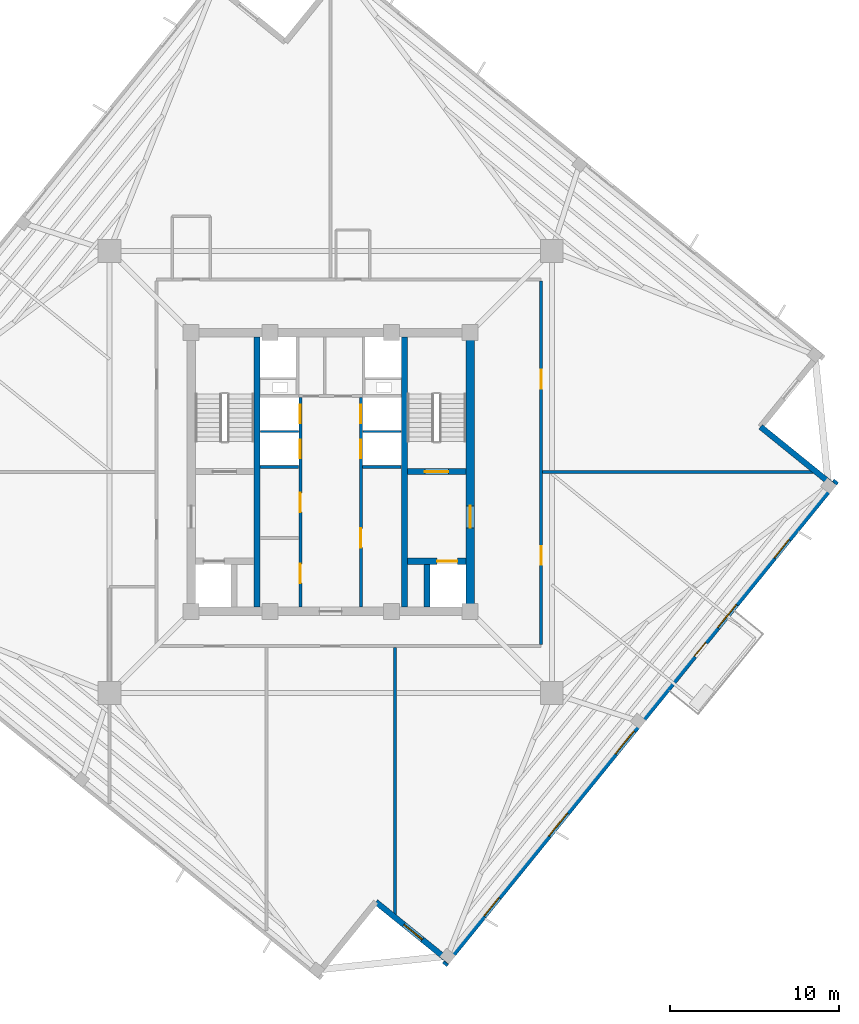
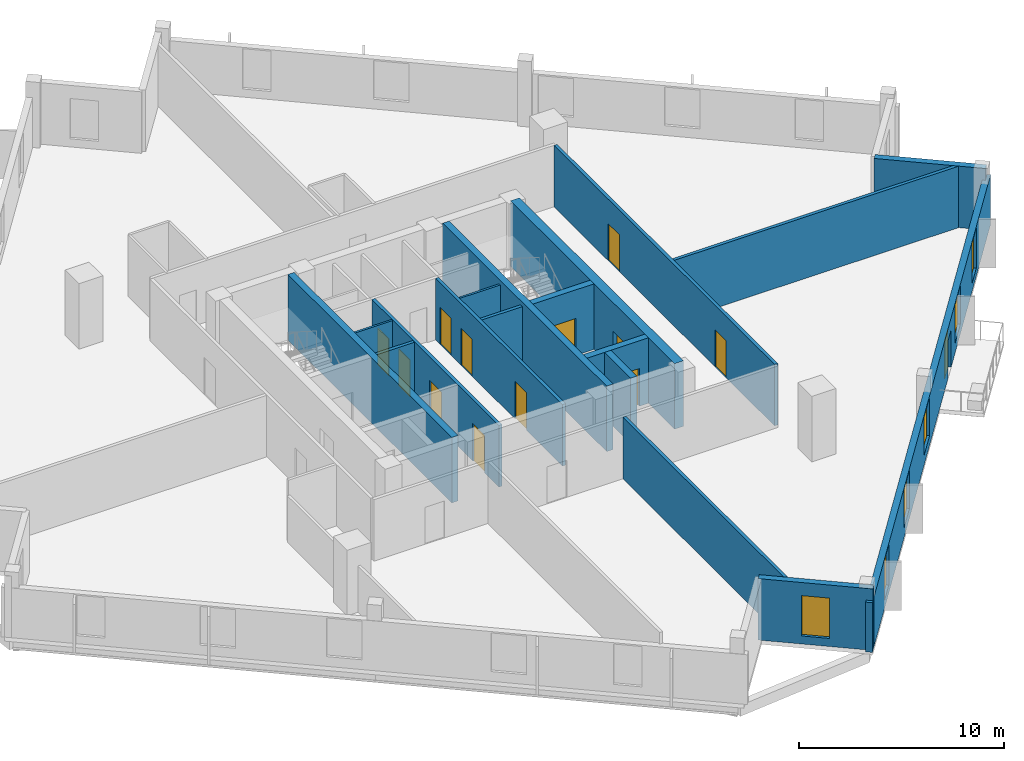
# One storey, part 3 of 9: 18 walls, 13 doors, 6 windows, 19 openings.
"""IFC4 building model written with IfcOpenShell, lengths in metres."""

from ifc_helpers import new_model, si_unit, direction, frame, frame_2d, origin, place, context, subcontext, project, spatial, rectangle, extrude, source, transform, mapped, material, layer, layer_set, type_object, element, fill, save


model = new_model("IFC4")

# Units and contexts
model_context = context("Model", 3, precision=1e-05, world=origin(), true_north=direction((0.0, 1.0)))
body_context = subcontext(model_context, "Body", "Model", "MODEL_VIEW")
ifc_project = project(units=[si_unit("LENGTHUNIT", "METRE"), si_unit("AREAUNIT", "SQUARE_METRE"), si_unit("VOLUMEUNIT", "CUBIC_METRE"), si_unit("PLANEANGLEUNIT", "RADIAN"), si_unit("MASSUNIT", "GRAM", prefix="KILO"), si_unit("THERMODYNAMICTEMPERATUREUNIT", "KELVIN")], contexts=[model_context])

# Site, building, storey
site_placement = place(None, origin())
site = spatial("IfcSite", under=ifc_project, at=site_placement, CompositionType="ELEMENT")
building_placement = place(site_placement, origin())
building = spatial("IfcBuilding", under=site, at=building_placement, Name="Kosmvard Interchange Tower", CompositionType="ELEMENT")
storey_placement = place(building_placement, frame((0.0, 0.0, 244.60009765625)))
storey = spatial("IfcBuildingStorey", under=building, at=storey_placement, Name="L59", CompositionType="ELEMENT", Elevation=244.60009765625)

# Wall, openings, doors
ifc_material_1 = material(Name="Fire-rated gypsum partition system")
ifc_layer_1 = layer(ifc_material_1, 0.179931640625, Name="Fire-rated gypsum partition system")
ifc_layer_set_1 = layer_set([ifc_layer_1], Name="Fire-rated gypsum partition system")
wall_type_1 = type_object("IfcWallType", Name="Corridor & Hotel Compartment Partition 180", PredefinedType="PARTITIONING", material=ifc_layer_set_1)
wall_1_placement = place(storey_placement, frame((-1.7900390625, -7.97998046875, 0.0), z_axis=(0.0, 0.0, 1.0), x_axis=(0.0, 1.0, 0.0)))
wall_1 = element("IfcWall", 1, at=wall_1_placement, inside=storey, type_object=wall_type_1, Name="L59 West Lift Bank Front Wall", PredefinedType="PARTITIONING", context=body_context, shape_type="SweptSolid", body=[
    extrude(rectangle(XDim=12.3798828125, YDim=0.179931640625, at=frame_2d((6.18994140625, 0.0))), origin(), (0.0, 0.0, 1.0), 3.659912109375),
])
opening_1_placement = place(wall_1_placement, frame((8.800048828125, 0.0, 0.0)))
opening_1 = element("IfcOpeningElement", 2, at=opening_1_placement, cuts=wall_1, Name="Opening LD-PL-H1-L59", PredefinedType="OPENING", context=body_context, shape_type="SweptSolid", body=[
    extrude(rectangle(XDim=1.10009765625, YDim=2.199951171875, at=frame_2d((0.550048828125, 1.10009765625))), frame((0.0, 0.10009765625, 0.0), z_axis=(0.0, -1.0, 0.0), x_axis=(1.0, 0.0, 0.0)), (0.0, 0.0, 1.0), 0.199951171875),
])
opening_2_placement = place(wall_1_placement, frame((10.860107421875, 0.0, 0.0)))
opening_2 = element("IfcOpeningElement", 3, at=opening_2_placement, cuts=wall_1, Name="Opening LD-PL-H2-L59", PredefinedType="OPENING", context=body_context, shape_type="SweptSolid", body=[
    extrude(rectangle(XDim=1.10009765625, YDim=2.199951171875, at=frame_2d((0.550048828125, 1.10009765625))), frame((0.0, 0.10009765625, 0.0), z_axis=(0.0, -1.0, 0.0), x_axis=(1.0, 0.0, 0.0)), (0.0, 0.0, 1.0), 0.199951171875),
])
opening_3_placement = place(wall_1_placement, frame((1.39990234375, 0.0, 0.0)))
opening_3 = element("IfcOpeningElement", 4, at=opening_3_placement, cuts=wall_1, Name="Opening L59-CD1", PredefinedType="OPENING", context=body_context, shape_type="SweptSolid", body=[
    extrude(rectangle(XDim=1.14990234375, YDim=2.25, at=frame_2d((0.574951171875, 1.125))), frame((0.0, 0.10009765625, 0.0), z_axis=(0.0, -1.0, 0.0), x_axis=(1.0, 0.0, 0.0)), (0.0, 0.0, 1.0), 0.199951171875),
])
opening_4_placement = place(wall_1_placement, frame((5.60009765625, 0.0, 0.0)))
opening_4 = element("IfcOpeningElement", 5, at=opening_4_placement, cuts=wall_1, Name="Opening L59-CD2", PredefinedType="OPENING", context=body_context, shape_type="SweptSolid", body=[
    extrude(rectangle(XDim=1.14990234375, YDim=2.25, at=frame_2d((0.574951171875, 1.125))), frame((0.0, 0.10009765625, 0.0), z_axis=(0.0, -1.0, 0.0), x_axis=(1.0, 0.0, 0.0)), (0.0, 0.0, 1.0), 0.199951171875),
])
ifc_material_2 = material(Name="Painted fire-rated steel leaf", Category="steel")
door_type_1 = type_object("IfcDoorType", Name="Plant & Riser Fire Door 1150x2250 EI60", OperationType="NOTDEFINED", PredefinedType="DOOR", material=ifc_material_2)
shared_shape_1 = source(origin(), body_context, "Body", "SweptSolid", [
    extrude(rectangle(XDim=1.14990234375, YDim=2.25, at=frame_2d((0.574951171875, 1.125))), frame((0.0, 0.02490234375, 0.0), z_axis=(0.0, -1.0, 0.0), x_axis=(1.0, 0.0, 0.0)), (0.0, 0.0, 1.0), 0.050048828125),
])
door_1_placement = place(opening_3_placement, origin())
door_1 = element("IfcDoor", 6, at=door_1_placement, inside=storey, type_object=door_type_1, Name="L59 Core Archive Door", OperationType="SINGLE_SWING_LEFT", OverallHeight=2.25, OverallWidth=1.14990234375, PredefinedType="DOOR", context=body_context, shape_type="MappedRepresentation", body=[
    mapped(shared_shape_1, transform((0.0, 0.0, 0.0), scale=1.0)),
])
fill(opening_3, door_1)
door_2_placement = place(opening_4_placement, origin())
door_2 = element("IfcDoor", 7, at=door_2_placement, inside=storey, type_object=door_type_1, Name="L59 Mid Core Housekeeping Door", OperationType="SINGLE_SWING_RIGHT", OverallHeight=2.25, OverallWidth=1.14990234375, PredefinedType="DOOR", context=body_context, shape_type="MappedRepresentation", body=[
    mapped(shared_shape_1, transform((0.0, 0.0, 0.0), scale=1.0)),
])
fill(opening_4, door_2)
ifc_material_3 = material(Name="Brushed stainless steel sliding leaf", Category="steel")
door_type_2 = type_object("IfcDoorType", Name="Passenger Lift Sliding Landing Door 1100x2200 EI60", OperationType="DOUBLE_DOOR_SLIDING", PredefinedType="DOOR", material=ifc_material_3)
shared_shape_2 = source(origin(), body_context, "Body", "SweptSolid", [
    extrude(rectangle(XDim=1.10009765625, YDim=2.199951171875, at=frame_2d((0.550048828125, 1.10009765625))), frame((0.0, 0.02490234375, 0.0), z_axis=(0.0, -1.0, 0.0), x_axis=(1.0, 0.0, 0.0)), (0.0, 0.0, 1.0), 0.050048828125),
])
door_3_placement = place(opening_1_placement, frame((1.10009765625, 0.0, 0.0), z_axis=(0.0, 0.0, 1.0), x_axis=(-1.0, 0.0, 0.0)))
door_3 = element("IfcDoor", 8, at=door_3_placement, inside=storey, type_object=door_type_2, Name="Lift PL-H1 Landing Door L59", OperationType="DOUBLE_DOOR_SLIDING", OverallHeight=2.199951171875, OverallWidth=1.10009765625, PredefinedType="DOOR", context=body_context, shape_type="MappedRepresentation", body=[
    mapped(shared_shape_2, transform((0.0, 0.0, 0.0), scale=1.0)),
])
fill(opening_1, door_3)
door_4_placement = place(opening_2_placement, frame((1.10009765625, 0.0, 0.0), z_axis=(0.0, 0.0, 1.0), x_axis=(-1.0, 0.0, 0.0)))
door_4 = element("IfcDoor", 9, at=door_4_placement, inside=storey, type_object=door_type_2, Name="Lift PL-H2 Landing Door L59", OperationType="DOUBLE_DOOR_SLIDING", OverallHeight=2.199951171875, OverallWidth=1.10009765625, PredefinedType="DOOR", context=body_context, shape_type="MappedRepresentation", body=[
    mapped(shared_shape_2, transform((0.0, 0.0, 0.0), scale=1.0)),
])
fill(opening_2, door_4)

wall_2_placement = place(storey_placement, frame((1.7900390625, -7.97998046875, 0.0), z_axis=(0.0, 0.0, 1.0), x_axis=(0.0, 1.0, 0.0)))
wall_2 = element("IfcWall", 10, at=wall_2_placement, inside=storey, type_object=wall_type_1, Name="L59 East Lift Bank Front Wall", PredefinedType="PARTITIONING", context=body_context, shape_type="SweptSolid", body=[
    extrude(rectangle(XDim=12.3798828125, YDim=0.179931640625, at=frame_2d((6.18994140625, 0.0))), origin(), (0.0, 0.0, 1.0), 3.659912109375),
])
opening_5_placement = place(wall_2_placement, frame((8.800048828125, 0.0, 0.0)))
opening_5 = element("IfcOpeningElement", 11, at=opening_5_placement, cuts=wall_2, Name="Opening LD-PL-H3-L59", PredefinedType="OPENING", context=body_context, shape_type="SweptSolid", body=[
    extrude(rectangle(XDim=1.10009765625, YDim=2.199951171875, at=frame_2d((0.550048828125, 1.10009765625))), frame((0.0, 0.10009765625, 0.0), z_axis=(0.0, -1.0, 0.0), x_axis=(1.0, 0.0, 0.0)), (0.0, 0.0, 1.0), 0.199951171875),
])
opening_6_placement = place(wall_2_placement, frame((10.860107421875, 0.0, 0.0)))
opening_6 = element("IfcOpeningElement", 12, at=opening_6_placement, cuts=wall_2, Name="Opening LD-PL-H4-L59", PredefinedType="OPENING", context=body_context, shape_type="SweptSolid", body=[
    extrude(rectangle(XDim=1.10009765625, YDim=2.199951171875, at=frame_2d((0.550048828125, 1.10009765625))), frame((0.0, 0.10009765625, 0.0), z_axis=(0.0, -1.0, 0.0), x_axis=(1.0, 0.0, 0.0)), (0.0, 0.0, 1.0), 0.199951171875),
])
opening_7_placement = place(wall_2_placement, frame((3.5, 0.0, 0.0)))
opening_7 = element("IfcOpeningElement", 13, at=opening_7_placement, cuts=wall_2, Name="Opening L59-CD3", PredefinedType="OPENING", context=body_context, shape_type="SweptSolid", body=[
    extrude(rectangle(XDim=1.14990234375, YDim=2.25, at=frame_2d((0.574951171875, 1.125))), frame((0.0, 0.10009765625, 0.0), z_axis=(0.0, -1.0, 0.0), x_axis=(1.0, 0.0, 0.0)), (0.0, 0.0, 1.0), 0.199951171875),
])
door_5_placement = place(opening_7_placement, frame((1.14990234375, 0.0, 0.0), z_axis=(0.0, 0.0, 1.0), x_axis=(-1.0, 0.0, 0.0)))
door_5 = element("IfcDoor", 14, at=door_5_placement, inside=storey, type_object=door_type_1, Name="L59 Core Data Switch Door", OperationType="SINGLE_SWING_LEFT", OverallHeight=2.25, OverallWidth=1.14990234375, PredefinedType="DOOR", context=body_context, shape_type="MappedRepresentation", body=[
    mapped(shared_shape_1, transform((0.0, 0.0, 0.0), scale=1.0)),
])
fill(opening_7, door_5)
door_6_placement = place(opening_5_placement, origin())
door_6 = element("IfcDoor", 15, at=door_6_placement, inside=storey, type_object=door_type_2, Name="Lift PL-H3 Landing Door L59", OperationType="DOUBLE_DOOR_SLIDING", OverallHeight=2.199951171875, OverallWidth=1.10009765625, PredefinedType="DOOR", context=body_context, shape_type="MappedRepresentation", body=[
    mapped(shared_shape_2, transform((0.0, 0.0, 0.0), scale=1.0)),
])
fill(opening_5, door_6)
door_7_placement = place(opening_6_placement, origin())
door_7 = element("IfcDoor", 16, at=door_7_placement, inside=storey, type_object=door_type_2, Name="Lift PL-H4 Landing Door L59", OperationType="DOUBLE_DOOR_SLIDING", OverallHeight=2.199951171875, OverallWidth=1.10009765625, PredefinedType="DOOR", context=body_context, shape_type="MappedRepresentation", body=[
    mapped(shared_shape_2, transform((0.0, 0.0, 0.0), scale=1.0)),
])
fill(opening_6, door_7)

wall_3_placement = place(storey_placement, frame((12.449951171875, -10.199951171875, 0.0), z_axis=(0.0, 0.0, 1.0), x_axis=(0.0, 1.0, 0.0)))
wall_3 = element("IfcWall", 17, at=wall_3_placement, inside=storey, type_object=wall_type_1, Name="L59 Corridor Wall CE", PredefinedType="PARTITIONING", context=body_context, shape_type="SweptSolid", body=[
    extrude(rectangle(XDim=21.5, YDim=0.179931640625, at=frame_2d((10.75, 0.0))), origin(), (0.0, 0.0, 1.0), 3.659912109375),
])
opening_8_placement = place(wall_3_placement, frame((15.135498046875, 0.0, 0.0)))
opening_8 = element("IfcOpeningElement", 18, at=opening_8_placement, cuts=wall_3, Name="Opening L59-D04", PredefinedType="OPENING", context=body_context, shape_type="SweptSolid", body=[
    extrude(rectangle(XDim=1.10009765625, YDim=2.199951171875, at=frame_2d((0.550048828125, 1.10009765625))), frame((0.0, 0.10009765625, 0.0), z_axis=(0.0, -1.0, 0.0), x_axis=(1.0, 0.0, 0.0)), (0.0, 0.0, 1.0), 0.199951171875),
])
opening_9_placement = place(wall_3_placement, frame((4.71435546875, 0.0, 0.0)))
opening_9 = element("IfcOpeningElement", 19, at=opening_9_placement, cuts=wall_3, Name="Opening L59-D05", PredefinedType="OPENING", context=body_context, shape_type="SweptSolid", body=[
    extrude(rectangle(XDim=1.10009765625, YDim=2.199951171875, at=frame_2d((0.550048828125, 1.10009765625))), frame((0.0, 0.10009765625, 0.0), z_axis=(0.0, -1.0, 0.0), x_axis=(1.0, 0.0, 0.0)), (0.0, 0.0, 1.0), 0.199951171875),
])
ifc_material_4 = material(Name="Engineered oak fire-rated timber", Category="wood")
door_type_3 = type_object("IfcDoorType", Name="Office Suite Entrance Door 1100x2200 FD30S", OperationType="NOTDEFINED", PredefinedType="DOOR", material=ifc_material_4)
door_8_placement = place(opening_8_placement, frame((1.10009765625, 0.0, 0.0), z_axis=(0.0, 0.0, 1.0), x_axis=(-1.0, 0.0, 0.0)))
door_8 = element("IfcDoor", 20, at=door_8_placement, inside=storey, type_object=door_type_3, Name="L59 South-East Open Investment Workplace Door", OperationType="SINGLE_SWING_RIGHT", OverallHeight=2.199951171875, OverallWidth=1.10009765625, PredefinedType="DOOR", context=body_context, shape_type="MappedRepresentation", body=[
    mapped(shared_shape_2, transform((0.0, 0.0, 0.0), scale=1.0)),
])
fill(opening_8, door_8)
door_9_placement = place(opening_9_placement, frame((1.10009765625, 0.0, 0.0), z_axis=(0.0, 0.0, 1.0), x_axis=(-1.0, 0.0, 0.0)))
door_9 = element("IfcDoor", 21, at=door_9_placement, inside=storey, type_object=door_type_3, Name="L59 Sky Economics Library Door", OperationType="SINGLE_SWING_LEFT", OverallHeight=2.199951171875, OverallWidth=1.10009765625, PredefinedType="DOOR", context=body_context, shape_type="MappedRepresentation", body=[
    mapped(shared_shape_2, transform((0.0, 0.0, 0.0), scale=1.0)),
])
fill(opening_9, door_9)

# Walls
wall_4_placement = place(storey_placement, frame((12.544921875, 0.0, 0.0), z_axis=(0.0, 0.0, 1.0), x_axis=(1.0, 0.0, 0.0)))
element("IfcWall", 22, at=wall_4_placement, inside=storey, type_object=wall_type_1, Name="L59 Room Partition 02.1", PredefinedType="PARTITIONING", context=body_context, shape_type="SweptSolid", body=[
    extrude(rectangle(XDim=16.017578125, YDim=0.179931640625, at=frame_2d((8.0087890625, 0.0))), origin(), (0.0, 0.0, 1.0), 3.659912109375),
])
wall_5_placement = place(storey_placement, frame((3.800048828125, -10.39501953125, 0.0), z_axis=(0.0, 0.0, 1.0), x_axis=(0.0, -1.0, 0.0)))
element("IfcWall", 23, at=wall_5_placement, inside=storey, type_object=wall_type_1, Name="L59 Room Partition 03.1", PredefinedType="PARTITIONING", context=body_context, shape_type="SweptSolid", body=[
    extrude(rectangle(XDim=15.811767578125, YDim=0.179931640625, at=frame_2d((7.90576171875, 0.0))), origin(), (0.0, 0.0, 1.0), 3.659912109375),
])

# Wall, openings, door, windows
ifc_material_5 = material(Name="Precast concrete C45/55", Category="concrete")
ifc_layer_2 = layer(ifc_material_5, 0.340087890625, Name="Precast concrete C45/55")
ifc_layer_set_2 = layer_set([ifc_layer_2], Name="Precast concrete C45/55")
wall_type_2 = type_object("IfcWallType", Name="Mid Tower Precast Pier Wall 340 C45/55", PredefinedType="STANDARD", material=ifc_layer_set_2)
wall_6_placement = place(storey_placement, frame((6.73291015625, -29.154296875, 0.0), z_axis=(0.0, 0.0, 1.0), x_axis=(0.629325378072, 0.77714192302, 0.0)))
wall_6 = element("IfcWall", 24, at=wall_6_placement, inside=storey, type_object=wall_type_2, Name="L59 Precast Facade Wall F-S", PredefinedType="STANDARD", context=body_context, shape_type="SweptSolid", body=[
    extrude(rectangle(XDim=36.840087890625, YDim=0.340087890625, at=frame_2d((18.419921875, 0.0))), origin(), (0.0, 0.0, 1.0), 2.9599609375),
])
opening_10_placement = place(wall_6_placement, frame((23.4951171875, 0.0, 0.0)))
opening_10 = element("IfcOpeningElement", 25, at=opening_10_placement, cuts=wall_6, Name="Opening L59-BDW", PredefinedType="OPENING", context=body_context, shape_type="SweptSolid", body=[
    extrude(rectangle(XDim=1.050048828125, YDim=2.25, at=frame_2d((0.52490234375, 1.125))), frame((0.0, 0.18017578125, 0.0), z_axis=(0.0, -1.0, 0.0), x_axis=(1.0, 0.0, 0.0)), (0.0, 0.0, 1.0), 0.360107421875),
])
opening_11_placement = place(wall_6_placement, frame((3.720703125, 0.0, 0.47998046875)))
opening_11 = element("IfcOpeningElement", 26, at=opening_11_placement, cuts=wall_6, Name="Opening L59-W01", PredefinedType="OPENING", context=body_context, shape_type="SweptSolid", body=[
    extrude(rectangle(XDim=1.39990234375, YDim=2.39990234375, at=frame_2d((0.699951171875, 1.199951171875))), frame((0.0, 0.18017578125, 0.0), z_axis=(0.0, -1.0, 0.0), x_axis=(1.0, 0.0, 0.0)), (0.0, 0.0, 1.0), 0.360107421875),
])
opening_12_placement = place(wall_6_placement, frame((9.80859375, 0.0, 0.580078125)))
opening_12 = element("IfcOpeningElement", 27, at=opening_12_placement, cuts=wall_6, Name="Opening L59-W02", PredefinedType="OPENING", context=body_context, shape_type="SweptSolid", body=[
    extrude(rectangle(XDim=1.75, YDim=2.300048828125, at=frame_2d((0.875, 1.14990234375))), frame((0.0, 0.18017578125, 0.0), z_axis=(0.0, -1.0, 0.0), x_axis=(1.0, 0.0, 0.0)), (0.0, 0.0, 1.0), 0.360107421875),
])
opening_13_placement = place(wall_6_placement, frame((16.05810546875, 0.0, 0.580078125)))
opening_13 = element("IfcOpeningElement", 28, at=opening_13_placement, cuts=wall_6, Name="Opening L59-W03", PredefinedType="OPENING", context=body_context, shape_type="SweptSolid", body=[
    extrude(rectangle(XDim=1.75, YDim=2.300048828125, at=frame_2d((0.875, 1.14990234375))), frame((0.0, 0.18017578125, 0.0), z_axis=(0.0, -1.0, 0.0), x_axis=(1.0, 0.0, 0.0)), (0.0, 0.0, 1.0), 0.360107421875),
])
opening_14_placement = place(wall_6_placement, frame((25.67626953125, 0.0, 0.580078125)))
opening_14 = element("IfcOpeningElement", 29, at=opening_14_placement, cuts=wall_6, Name="Opening L59-W04", PredefinedType="OPENING", context=body_context, shape_type="SweptSolid", body=[
    extrude(rectangle(XDim=1.75, YDim=2.300048828125, at=frame_2d((0.875, 1.14990234375))), frame((0.0, 0.18017578125, 0.0), z_axis=(0.0, -1.0, 0.0), x_axis=(1.0, 0.0, 0.0)), (0.0, 0.0, 1.0), 0.360107421875),
])
opening_15_placement = place(wall_6_placement, frame((30.982421875, 0.0, 0.47998046875)))
opening_15 = element("IfcOpeningElement", 30, at=opening_15_placement, cuts=wall_6, Name="Opening L59-W05", PredefinedType="OPENING", context=body_context, shape_type="SweptSolid", body=[
    extrude(rectangle(XDim=1.39990234375, YDim=2.39990234375, at=frame_2d((0.699951171875, 1.199951171875))), frame((0.0, 0.18017578125, 0.0), z_axis=(0.0, -1.0, 0.0), x_axis=(1.0, 0.0, 0.0)), (0.0, 0.0, 1.0), 0.360107421875),
])
ifc_material_6 = material(Name="Anodised aluminium and safety glass", Category="aluminium")
door_type_4 = type_object("IfcDoorType", Name="Tree-Balcony Glazed Door 1050x2250", OperationType="NOTDEFINED", PredefinedType="DOOR", material=ifc_material_6)
shared_shape_3 = source(origin(), body_context, "Body", "SweptSolid", [
    extrude(rectangle(XDim=1.050048828125, YDim=2.25, at=frame_2d((0.52490234375, 1.125))), frame((0.0, 0.02490234375, 0.0), z_axis=(0.0, -1.0, 0.0), x_axis=(1.0, 0.0, 0.0)), (0.0, 0.0, 1.0), 0.050048828125),
])
door_10_placement = place(opening_10_placement, origin())
door_10 = element("IfcDoor", 31, at=door_10_placement, inside=storey, type_object=door_type_4, Name="L59 Tree-Balcony Door BAL-L59-SW", OperationType="SINGLE_SWING_RIGHT", OverallHeight=2.25, OverallWidth=1.050048828125, PredefinedType="DOOR", context=body_context, shape_type="MappedRepresentation", body=[
    mapped(shared_shape_3, transform((0.0, 0.0, 0.0), scale=1.0)),
])
fill(opening_10, door_10)
ifc_material_7 = material(Name="Low-E solar-control double glazing", Category="glass")
window_type_1 = type_object("IfcWindowType", Name="Notched Corner Feature Window 1400x2400", PartitioningType="SINGLE_PANEL", PredefinedType="WINDOW", material=ifc_material_7)
shared_shape_4 = source(origin(), body_context, "Body", "SweptSolid", [
    extrude(rectangle(XDim=1.39990234375, YDim=2.39990234375, at=frame_2d((0.699951171875, 1.199951171875))), frame((0.0, 0.030029296875, 0.0), z_axis=(0.0, -1.0, 0.0), x_axis=(1.0, 0.0, 0.0)), (0.0, 0.0, 1.0), 0.06005859375),
])
window_1_placement = place(opening_11_placement, origin())
window_1 = element("IfcWindow", 32, at=window_1_placement, inside=storey, type_object=window_type_1, Name="L59 Facade Punched Window 01", OverallHeight=2.39990234375, OverallWidth=1.39990234375, PartitioningType="SINGLE_PANEL", PredefinedType="WINDOW", context=body_context, shape_type="MappedRepresentation", body=[
    mapped(shared_shape_4, transform((0.0, 0.0, 0.0), scale=1.0)),
])
fill(opening_11, window_1)
window_2_placement = place(opening_15_placement, origin())
window_2 = element("IfcWindow", 33, at=window_2_placement, inside=storey, type_object=window_type_1, Name="L59 Facade Punched Window 05", OverallHeight=2.39990234375, OverallWidth=1.39990234375, PartitioningType="SINGLE_PANEL", PredefinedType="WINDOW", context=body_context, shape_type="MappedRepresentation", body=[
    mapped(shared_shape_4, transform((0.0, 0.0, 0.0), scale=1.0)),
])
fill(opening_15, window_2)
window_type_2 = type_object("IfcWindowType", Name="Zone 4 Suite Punched Window 1750x2300", PartitioningType="SINGLE_PANEL", PredefinedType="WINDOW", material=ifc_material_7)
shared_shape_5 = source(origin(), body_context, "Body", "SweptSolid", [
    extrude(rectangle(XDim=1.75, YDim=2.300048828125, at=frame_2d((0.875, 1.14990234375))), frame((0.0, 0.030029296875, 0.0), z_axis=(0.0, -1.0, 0.0), x_axis=(1.0, 0.0, 0.0)), (0.0, 0.0, 1.0), 0.06005859375),
])
window_3_placement = place(opening_12_placement, origin())
window_3 = element("IfcWindow", 34, at=window_3_placement, inside=storey, type_object=window_type_2, Name="L59 Facade Punched Window 02", OverallHeight=2.300048828125, OverallWidth=1.75, PartitioningType="SINGLE_PANEL", PredefinedType="WINDOW", context=body_context, shape_type="MappedRepresentation", body=[
    mapped(shared_shape_5, transform((0.0, 0.0, 0.0), scale=1.0)),
])
fill(opening_12, window_3)
window_4_placement = place(opening_13_placement, origin())
window_4 = element("IfcWindow", 35, at=window_4_placement, inside=storey, type_object=window_type_2, Name="L59 Facade Punched Window 03", OverallHeight=2.300048828125, OverallWidth=1.75, PartitioningType="SINGLE_PANEL", PredefinedType="WINDOW", context=body_context, shape_type="MappedRepresentation", body=[
    mapped(shared_shape_5, transform((0.0, 0.0, 0.0), scale=1.0)),
])
fill(opening_13, window_4)
window_5_placement = place(opening_14_placement, origin())
window_5 = element("IfcWindow", 36, at=window_5_placement, inside=storey, type_object=window_type_2, Name="L59 Facade Punched Window 04", OverallHeight=2.300048828125, OverallWidth=1.75, PartitioningType="SINGLE_PANEL", PredefinedType="WINDOW", context=body_context, shape_type="MappedRepresentation", body=[
    mapped(shared_shape_5, transform((0.0, 0.0, 0.0), scale=1.0)),
])
fill(opening_14, window_5)

# Wall
wall_7_placement = place(storey_placement, frame((29.703125, -0.78857421875, 0.0), z_axis=(0.0, 0.0, 1.0), x_axis=(-0.77714355312, 0.629323365087, 0.0)))
element("IfcWall", 37, at=wall_7_placement, inside=storey, type_object=wall_type_2, Name="L59 Precast Facade Wall N-SE1", PredefinedType="STANDARD", context=body_context, shape_type="SweptSolid", body=[
    extrude(rectangle(XDim=5.499755859375, YDim=0.340087890625, at=frame_2d((2.75, 0.0))), origin(), (0.0, 0.0, 1.0), 3.659912109375),
])

# Wall, opening, window
wall_8_placement = place(storey_placement, frame((2.672607421875, -25.428955078125, 0.0), z_axis=(0.0, 0.0, 1.0), x_axis=(0.777162640055, -0.629299794138, 0.0)))
wall_8 = element("IfcWall", 38, at=wall_8_placement, inside=storey, type_object=wall_type_2, Name="L59 Precast Facade Wall N-SW2", PredefinedType="STANDARD", context=body_context, shape_type="SweptSolid", body=[
    extrude(rectangle(XDim=5.669921875, YDim=0.340087890625, at=frame_2d((2.8349609375, 0.0))), origin(), (0.0, 0.0, 1.0), 3.659912109375),
])
opening_16_placement = place(wall_8_placement, frame((2.135009765625, 0.0, 0.47998046875)))
opening_16 = element("IfcOpeningElement", 39, at=opening_16_placement, cuts=wall_8, Name="Opening L59-W24", PredefinedType="OPENING", context=body_context, shape_type="SweptSolid", body=[
    extrude(rectangle(XDim=1.39990234375, YDim=2.39990234375, at=frame_2d((0.699951171875, 1.199951171875))), frame((0.0, 0.18017578125, 0.0), z_axis=(0.0, -1.0, 0.0), x_axis=(1.0, 0.0, 0.0)), (0.0, 0.0, 1.0), 0.360107421875),
])
window_6_placement = place(opening_16_placement, origin())
window_6 = element("IfcWindow", 40, at=window_6_placement, inside=storey, type_object=window_type_1, Name="L59 Corner Notch Window 24", OverallHeight=2.39990234375, OverallWidth=1.39990234375, PartitioningType="SINGLE_PANEL", PredefinedType="WINDOW", context=body_context, shape_type="MappedRepresentation", body=[
    mapped(shared_shape_4, transform((0.0, 0.0, 0.0), scale=1.0)),
])
fill(opening_16, window_6)

# Walls
ifc_material_8 = material(Name="Concrete blockwork masonry", Category="masonry")
ifc_layer_3 = layer(ifc_material_8, 0.179931640625, Name="Concrete blockwork masonry")
ifc_layer_set_3 = layer_set([ifc_layer_3], Name="Concrete blockwork masonry")
wall_type_3 = type_object("IfcWallType", Name="Riser & Lift Bank Divider Wall 180", PredefinedType="PARTITIONING", material=ifc_layer_set_3)
for number, where, z_axis, x_axis, name in (
    (41, (-4.169921875, 0.300048828125, 0.0), (0.0, 0.0, 1.0), (1.0, 0.0, 0.0), "L59 West Bank Divider BD2"),
    (42, (1.889892578125, 0.300048828125, 0.0), (0.0, 0.0, 1.0), (1.0, 0.0, 0.0), "L59 East Bank Divider BD2"),
):
    element("IfcWall", number, at=place(storey_placement, frame(where, z_axis=z_axis, x_axis=x_axis)), inside=storey, type_object=wall_type_3, Name=name, PredefinedType="PARTITIONING", context=body_context, shape_type="SweptSolid", body=[
        extrude(rectangle(XDim=2.280029296875, YDim=0.179931640625, at=frame_2d((1.14013671875, 0.0))), origin(), (0.0, 0.0, 1.0), 3.659912109375),
    ])
ifc_material_9 = material(Name="Fire-rated gypsum shaftwall system")
ifc_layer_4 = layer(ifc_material_9, 0.1201171875, Name="Fire-rated gypsum shaftwall system")
ifc_layer_set_4 = layer_set([ifc_layer_4], Name="Fire-rated gypsum shaftwall system")
wall_type_4 = type_object("IfcWallType", Name="Shaft & Riser Fire Partition 120 EI60", PredefinedType="PARTITIONING", material=ifc_layer_set_4)
for number, where, z_axis, x_axis, name in (
    (43, (-4.159912109375, 2.39990234375, 0.0), (0.0, 0.0, 1.0), (1.0, 0.0, 0.0), "L59 Shaft Divider PL-H1"),
    (44, (1.89990234375, 2.39990234375, 0.0), (0.0, 0.0, 1.0), (1.0, 0.0, 0.0), "L59 Shaft Divider PL-H3"),
):
    element("IfcWall", number, at=place(storey_placement, frame(where, z_axis=z_axis, x_axis=x_axis)), inside=storey, type_object=wall_type_4, Name=name, PredefinedType="PARTITIONING", context=body_context, shape_type="SweptSolid", body=[
        extrude(rectangle(XDim=2.260009765625, YDim=0.1201171875, at=frame_2d((1.1298828125, 0.0))), origin(), (0.0, 0.0, 1.0), 3.659912109375),
    ])
ifc_material_10 = material(Name="Concrete C60/75", Category="concrete")
ifc_layer_5 = layer(ifc_material_10, 0.360107421875, Name="Concrete C60/75")
ifc_layer_set_5 = layer_set([ifc_layer_5], Name="Concrete C60/75")
wall_type_5 = type_object("IfcWallType", Name="Stair & Lift Shaft Shear Wall 360 C60/75", PredefinedType="SHEAR", material=ifc_layer_set_5)
for number, where, z_axis, x_axis, name in (
    (45, (-4.360107421875, -8.0, 0.0), (0.0, 0.0, 1.0), (0.0, 1.0, 0.0), "L59 Shaft Shear Wall SW-W"),
    (46, (4.360107421875, -8.0, 0.0), (0.0, 0.0, 1.0), (0.0, 1.0, 0.0), "L59 Shaft Shear Wall SW-E"),
):
    element("IfcWall", number, at=place(storey_placement, frame(where, z_axis=z_axis, x_axis=x_axis)), inside=storey, type_object=wall_type_5, Name=name, PredefinedType="SHEAR", context=body_context, shape_type="SweptSolid", body=[
        extrude(rectangle(XDim=16.0, YDim=0.360107421875, at=frame_2d((8.0, 0.0))), origin(), (0.0, 0.0, 1.0), 3.89990234375),
    ])

# Wall, opening, door
wall_9_placement = place(storey_placement, frame((4.5400390625, 0.02001953125, 0.0), z_axis=(0.0, 0.0, 1.0), x_axis=(1.0, 0.0, 0.0)))
wall_9 = element("IfcWall", 47, at=wall_9_placement, inside=storey, type_object=wall_type_5, Name="L59 Shaft Shear Wall SW-ST2", PredefinedType="SHEAR", context=body_context, shape_type="SweptSolid", body=[
    extrude(rectangle(XDim=3.4599609375, YDim=0.360107421875, at=frame_2d((1.72998046875, 0.0))), origin(), (0.0, 0.0, 1.0), 3.89990234375),
])
opening_17_placement = place(wall_9_placement, frame((1.030029296875, 0.0, 0.0)))
opening_17 = element("IfcOpeningElement", 48, at=opening_17_placement, cuts=wall_9, Name="Opening L59-SD2", PredefinedType="OPENING", context=body_context, shape_type="SweptSolid", body=[
    extrude(rectangle(XDim=1.39990234375, YDim=2.199951171875, at=frame_2d((0.699951171875, 1.10009765625))), frame((0.0, 0.18994140625, 0.0), z_axis=(0.0, -1.0, 0.0), x_axis=(1.0, 0.0, 0.0)), (0.0, 0.0, 1.0), 0.380126953125),
])
door_type_5 = type_object("IfcDoorType", Name="Protected Stair Door 1400x2200 FD60S", OperationType="NOTDEFINED", PredefinedType="DOOR", material=ifc_material_2)
shared_shape_6 = source(origin(), body_context, "Body", "SweptSolid", [
    extrude(rectangle(XDim=1.39990234375, YDim=2.199951171875, at=frame_2d((0.699951171875, 1.10009765625))), frame((0.0, 0.02490234375, 0.0), z_axis=(0.0, -1.0, 0.0), x_axis=(1.0, 0.0, 0.0)), (0.0, 0.0, 1.0), 0.050048828125),
])
door_11_placement = place(opening_17_placement, origin())
door_11 = element("IfcDoor", 49, at=door_11_placement, inside=storey, type_object=door_type_5, Name="L59 Stair ST-2 Enclosure Door", OperationType="SINGLE_SWING_RIGHT", OverallHeight=2.199951171875, OverallWidth=1.39990234375, PredefinedType="DOOR", context=body_context, shape_type="MappedRepresentation", body=[
    mapped(shared_shape_6, transform((0.0, 0.0, 0.0), scale=1.0)),
])
fill(opening_17, door_11)

wall_10_placement = place(storey_placement, frame((4.5400390625, -5.280029296875, 0.0), z_axis=(0.0, 0.0, 1.0), x_axis=(1.0, 0.0, 0.0)))
wall_10 = element("IfcWall", 50, at=wall_10_placement, inside=storey, type_object=wall_type_5, Name="L59 Shaft Shear Wall SW-FF2", PredefinedType="SHEAR", context=body_context, shape_type="SweptSolid", body=[
    extrude(rectangle(XDim=3.4599609375, YDim=0.360107421875, at=frame_2d((1.72998046875, 0.0))), origin(), (0.0, 0.0, 1.0), 3.89990234375),
])
opening_18_placement = place(wall_10_placement, frame((1.760009765625, 0.0, 0.0)))
opening_18 = element("IfcOpeningElement", 51, at=opening_18_placement, cuts=wall_10, Name="Opening LD-FF-2-L59", PredefinedType="OPENING", context=body_context, shape_type="SweptSolid", body=[
    extrude(rectangle(XDim=1.199951171875, YDim=2.25, at=frame_2d((0.60009765625, 1.125))), frame((0.0, 0.18994140625, 0.0), z_axis=(0.0, -1.0, 0.0), x_axis=(1.0, 0.0, 0.0)), (0.0, 0.0, 1.0), 0.380126953125),
])
door_type_6 = type_object("IfcDoorType", Name="Firefighting Lift Sliding Landing Door 1200x2250 EI120", OperationType="DOUBLE_DOOR_SLIDING", PredefinedType="DOOR", material=ifc_material_3)
shared_shape_7 = source(origin(), body_context, "Body", "SweptSolid", [
    extrude(rectangle(XDim=1.199951171875, YDim=2.25, at=frame_2d((0.60009765625, 1.125))), frame((0.0, 0.02490234375, 0.0), z_axis=(0.0, -1.0, 0.0), x_axis=(1.0, 0.0, 0.0)), (0.0, 0.0, 1.0), 0.050048828125),
])
door_12_placement = place(opening_18_placement, origin())
door_12 = element("IfcDoor", 52, at=door_12_placement, inside=storey, type_object=door_type_6, Name="Lift FF-2 Landing Door L59", OperationType="DOUBLE_DOOR_SLIDING", OverallHeight=2.25, OverallWidth=1.199951171875, PredefinedType="DOOR", context=body_context, shape_type="MappedRepresentation", body=[
    mapped(shared_shape_7, transform((0.0, 0.0, 0.0), scale=1.0)),
])
fill(opening_18, door_12)

# Wall
wall_11_placement = place(storey_placement, frame((5.7099609375, -8.0, 0.0), z_axis=(0.0, 0.0, 1.0), x_axis=(0.0, 1.0, 0.0)))
element("IfcWall", 53, at=wall_11_placement, inside=storey, type_object=wall_type_5, Name="L59 Shaft Shear Wall SW-SM2", PredefinedType="SHEAR", context=body_context, shape_type="SweptSolid", body=[
    extrude(rectangle(XDim=2.5400390625, YDim=0.360107421875, at=frame_2d((1.27001953125, 0.0))), origin(), (0.0, 0.0, 1.0), 3.89990234375),
])

# Wall, opening, door
ifc_layer_6 = layer(ifc_material_10, 0.5, Name="Concrete C60/75")
ifc_layer_set_6 = layer_set([ifc_layer_6], Name="Concrete C60/75")
wall_type_6 = type_object("IfcWallType", Name="Upper Core Shear Wall 500 C60/75", PredefinedType="SHEAR", material=ifc_layer_set_6)
wall_12_placement = place(storey_placement, frame((8.25, -8.0, 0.0), z_axis=(0.0, 0.0, 1.0), x_axis=(0.0, 1.0, 0.0)))
wall_12 = element("IfcWall", 54, at=wall_12_placement, inside=storey, type_object=wall_type_6, Name="L59 Core Shear Wall CW-E", PredefinedType="SHEAR", context=body_context, shape_type="SweptSolid", body=[
    extrude(rectangle(XDim=16.0, YDim=0.5, at=frame_2d((8.0, 0.0))), origin(), (0.0, 0.0, 1.0), 3.89990234375),
])
opening_19_placement = place(wall_12_placement, frame((4.68994140625, 0.0, 0.0)))
opening_19 = element("IfcOpeningElement", 55, at=opening_19_placement, cuts=wall_12, Name="Opening L59-FD2", PredefinedType="OPENING", context=body_context, shape_type="SweptSolid", body=[
    extrude(rectangle(XDim=1.300048828125, YDim=2.199951171875, at=frame_2d((0.64990234375, 1.10009765625))), frame((0.0, 0.260009765625, 0.0), z_axis=(0.0, -1.0, 0.0), x_axis=(1.0, 0.0, 0.0)), (0.0, 0.0, 1.0), 0.52001953125),
])
door_type_7 = type_object("IfcDoorType", Name="Firefighting Lobby Door 1300x2200 EI60", OperationType="NOTDEFINED", PredefinedType="DOOR", material=ifc_material_2)
shared_shape_8 = source(origin(), body_context, "Body", "SweptSolid", [
    extrude(rectangle(XDim=1.300048828125, YDim=2.199951171875, at=frame_2d((0.64990234375, 1.10009765625))), frame((0.0, 0.02490234375, 0.0), z_axis=(0.0, -1.0, 0.0), x_axis=(1.0, 0.0, 0.0)), (0.0, 0.0, 1.0), 0.050048828125),
])
door_13_placement = place(opening_19_placement, origin())
door_13 = element("IfcDoor", 56, at=door_13_placement, inside=storey, type_object=door_type_7, Name="L59 Firefighting Lobby East Door", OperationType="SINGLE_SWING_RIGHT", OverallHeight=2.199951171875, OverallWidth=1.300048828125, PredefinedType="DOOR", context=body_context, shape_type="MappedRepresentation", body=[
    mapped(shared_shape_8, transform((0.0, 0.0, 0.0), scale=1.0)),
])
fill(opening_19, door_13)

save(model, "model.ifc")
